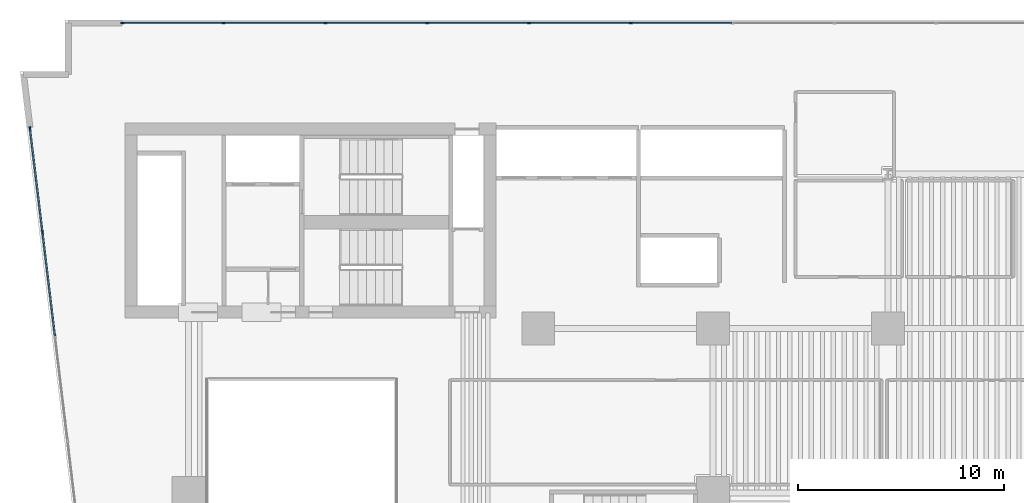
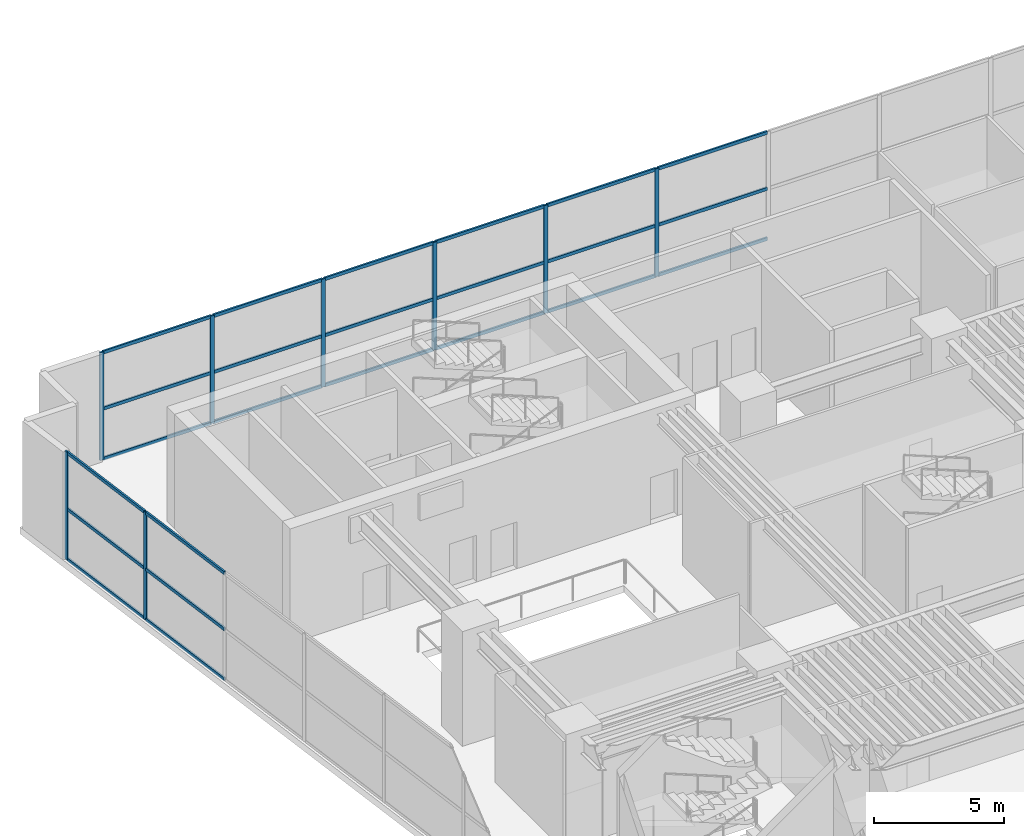
# One storey, part 5 of 16: 32 members, 2 elements without a shape of their own.
"""IFC4 building model written with IfcOpenShell, lengths in metres."""

from ifc_helpers import new_model, si_unit, direction, frame, origin, origin_2d, place, context, subcontext, project, spatial, rectangle, extrude, material, layer, layer_set, material_profile, profile_set, type_object, element, aggregate, save


model = new_model("IFC4")

# Units and contexts
model_context = context("Model", 3, precision=1e-05, world=origin(), true_north=direction((0.0, 1.0)))
body_context = subcontext(model_context, "Body", "Model", "MODEL_VIEW")
ifc_project = project(units=[si_unit("LENGTHUNIT", "METRE"), si_unit("AREAUNIT", "SQUARE_METRE"), si_unit("VOLUMEUNIT", "CUBIC_METRE"), si_unit("PLANEANGLEUNIT", "RADIAN"), si_unit("MASSUNIT", "GRAM", prefix="KILO")], contexts=[model_context])

# Site, building, storey
site_placement = place(None, origin())
site = spatial("IfcSite", under=ifc_project, at=site_placement, CompositionType="ELEMENT")
building_placement = place(site_placement, origin())
building = spatial("IfcBuilding", under=site, at=building_placement, Name="Caeloran Harvest Quay", CompositionType="ELEMENT")
storey_placement = place(building_placement, frame((0.0, 0.0, 10.800048828125)))
storey = spatial("IfcBuildingStorey", under=building, at=storey_placement, Name="L03", CompositionType="ELEMENT", Elevation=10.800048828125)

# Curtain wall, members
ifc_material_1 = material(Name="Aluminium 6063-T6 and Low-E Glazing", Category="aluminium")
ifc_layer = layer(ifc_material_1, 0.179931640625, Name="Aluminium 6063-T6 and Low-E Glazing")
ifc_layer_set = layer_set([ifc_layer], Name="Aluminium 6063-T6 and Low-E Glazing")
curtain_wall_type = type_object("IfcCurtainWallType", Name="CW-SYS-CW-1", PredefinedType="USERDEFINED", material=ifc_layer_set)
curtain_wall_1_placement = place(storey_placement, origin())
curtain_wall_1 = element("IfcCurtainWall", 1, at=curtain_wall_1_placement, inside=storey, type_object=curtain_wall_type, Name="L03 Unitised Curtain Wall CW-1 Run 3", ObjectType="CURTAIN_WALL", PredefinedType="USERDEFINED")
ifc_material_2 = material(Name="Aluminium 6063-T6", Category="aluminium")
ifc_material_profile_1 = material_profile(ifc_material_2, rectangle(XDim=0.080078125, YDim=0.179931640625, at=origin_2d()), Name="CW-MULLION-180")
ifc_profile_set_1 = profile_set([ifc_material_profile_1], Name="Aluminium 6063-T6")
member_type_1 = type_object("IfcMemberType", Name="CW-MULLION-180", PredefinedType="MULLION", material=ifc_profile_set_1)
member_1_placement = place(storey_placement, frame((1.3935546875, 35.69189453125, 0.0), z_axis=(0.0, 0.0, 1.0), x_axis=(-0.992815527762, -0.11965503681, 0.0)))
member_1 = element("IfcMember", 2, at=member_1_placement, type_object=member_type_1, Name="CW-1 mullion 7", PredefinedType="MULLION", context=body_context, shape_type="SweptSolid", body=[
    extrude(rectangle(XDim=0.080078125, YDim=0.179931640625, at=origin_2d()), origin(), (0.0, 0.0, 1.0), 5.079833984375),
])
member_2_placement = place(storey_placement, frame((0.786376953125, 40.72900390625, 0.0), z_axis=(0.0, 0.0, 1.0), x_axis=(-0.992815527762, -0.11965503681, 0.0)))
member_2 = element("IfcMember", 3, at=member_2_placement, type_object=member_type_1, Name="CW-1 mullion 8", PredefinedType="MULLION", context=body_context, shape_type="SweptSolid", body=[
    extrude(rectangle(XDim=0.080078125, YDim=0.179931640625, at=origin_2d()), origin(), (0.0, 0.0, 1.0), 5.079833984375),
])

curtain_wall_2_placement = place(storey_placement, origin())
curtain_wall_2 = element("IfcCurtainWall", 4, at=curtain_wall_2_placement, inside=storey, type_object=curtain_wall_type, Name="L03 Unitised Curtain Wall CW-1 Run 6", ObjectType="CURTAIN_WALL", PredefinedType="USERDEFINED")
member_3_placement = place(storey_placement, frame((5.2900390625, 45.85009765625, 0.0), z_axis=(0.0, 0.0, 1.0), x_axis=(0.0, 1.0, 0.0)))
member_3 = element("IfcMember", 5, at=member_3_placement, type_object=member_type_1, Name="CW-1 mullion 1", PredefinedType="MULLION", context=body_context, shape_type="SweptSolid", body=[
    extrude(rectangle(XDim=0.080078125, YDim=0.179931640625, at=origin_2d()), origin(), (0.0, 0.0, 1.0), 5.079833984375),
])
member_4_placement = place(storey_placement, frame((10.199951171875, 45.85009765625, 0.0), z_axis=(0.0, 0.0, 1.0), x_axis=(0.0, 1.0, 0.0)))
member_4 = element("IfcMember", 6, at=member_4_placement, type_object=member_type_1, Name="CW-1 mullion 2", PredefinedType="MULLION", context=body_context, shape_type="SweptSolid", body=[
    extrude(rectangle(XDim=0.080078125, YDim=0.179931640625, at=origin_2d()), origin(), (0.0, 0.0, 1.0), 5.079833984375),
])
member_5_placement = place(storey_placement, frame((15.14990234375, 45.85009765625, 0.0), z_axis=(0.0, 0.0, 1.0), x_axis=(0.0, 1.0, 0.0)))
member_5 = element("IfcMember", 7, at=member_5_placement, type_object=member_type_1, Name="CW-1 mullion 3", PredefinedType="MULLION", context=body_context, shape_type="SweptSolid", body=[
    extrude(rectangle(XDim=0.080078125, YDim=0.179931640625, at=origin_2d()), origin(), (0.0, 0.0, 1.0), 5.079833984375),
])
member_6_placement = place(storey_placement, frame((20.10009765625, 45.85009765625, 0.0), z_axis=(0.0, 0.0, 1.0), x_axis=(0.0, 1.0, 0.0)))
member_6 = element("IfcMember", 8, at=member_6_placement, type_object=member_type_1, Name="CW-1 mullion 4", PredefinedType="MULLION", context=body_context, shape_type="SweptSolid", body=[
    extrude(rectangle(XDim=0.080078125, YDim=0.179931640625, at=origin_2d()), origin(), (0.0, 0.0, 1.0), 5.079833984375),
])
member_7_placement = place(storey_placement, frame((25.050048828125, 45.85009765625, 0.0), z_axis=(0.0, 0.0, 1.0), x_axis=(0.0, 1.0, 0.0)))
member_7 = element("IfcMember", 9, at=member_7_placement, type_object=member_type_1, Name="CW-1 mullion 5", PredefinedType="MULLION", context=body_context, shape_type="SweptSolid", body=[
    extrude(rectangle(XDim=0.080078125, YDim=0.179931640625, at=origin_2d()), origin(), (0.0, 0.0, 1.0), 5.079833984375),
])
member_8_placement = place(storey_placement, frame((30.0, 45.85009765625, 0.0), z_axis=(0.0, 0.0, 1.0), x_axis=(0.0, 1.0, 0.0)))
member_8 = element("IfcMember", 10, at=member_8_placement, type_object=member_type_1, Name="CW-1 mullion 6", PredefinedType="MULLION", context=body_context, shape_type="SweptSolid", body=[
    extrude(rectangle(XDim=0.080078125, YDim=0.179931640625, at=origin_2d()), origin(), (0.0, 0.0, 1.0), 5.079833984375),
])

# Member
ifc_material_profile_2 = material_profile(ifc_material_2, rectangle(XDim=0.080078125, YDim=0.14990234375, at=origin_2d()), Name="CW-TRANSOM-150")
ifc_profile_set_2 = profile_set([ifc_material_profile_2], Name="Aluminium 6063-T6")
member_type_2 = type_object("IfcMemberType", Name="CW-TRANSOM-150", PredefinedType="USERDEFINED", material=ifc_profile_set_2)
member_9_placement = place(storey_placement, frame((2.00048828125, 30.65478515625, 0.0400390625), z_axis=(-0.119657779641, 0.99281519719, 0.0), x_axis=(-0.99281519719, -0.119657779641, 0.0)))
member_9 = element("IfcMember", 11, at=member_9_placement, type_object=member_type_2, Name="CW-1 transom 6.1", ObjectType="TRANSOM", PredefinedType="USERDEFINED", context=body_context, shape_type="SweptSolid", body=[
    extrude(rectangle(XDim=0.080078125, YDim=0.14990234375, at=origin_2d()), origin(), (0.0, 0.0, 1.0), 5.033447265625),
])

member_10_placement = place(storey_placement, frame((2.00048828125, 30.65478515625, 2.39990234375), z_axis=(-0.119657779641, 0.99281519719, 0.0), x_axis=(-0.99281519719, -0.119657779641, 0.0)))
member_10 = element("IfcMember", 12, at=member_10_placement, type_object=member_type_2, Name="CW-1 transom 6.2", ObjectType="TRANSOM", PredefinedType="USERDEFINED", context=body_context, shape_type="SweptSolid", body=[
    extrude(rectangle(XDim=0.080078125, YDim=0.14990234375, at=origin_2d()), origin(), (0.0, 0.0, 1.0), 5.033447265625),
])

member_11_placement = place(storey_placement, frame((2.00048828125, 30.65478515625, 5.0400390625), z_axis=(-0.119657779641, 0.99281519719, 0.0), x_axis=(-0.99281519719, -0.119657779641, 0.0)))
member_11 = element("IfcMember", 13, at=member_11_placement, type_object=member_type_2, Name="CW-1 transom 6.3", ObjectType="TRANSOM", PredefinedType="USERDEFINED", context=body_context, shape_type="SweptSolid", body=[
    extrude(rectangle(XDim=0.080078125, YDim=0.14990234375, at=origin_2d()), origin(), (0.0, 0.0, 1.0), 5.033447265625),
])

member_12_placement = place(storey_placement, frame((1.388671875, 35.731689453125, 0.0400390625), z_axis=(-0.119640688841, 0.992817256888, 0.0), x_axis=(-0.992817256888, -0.119640688841, 0.0)))
member_12 = element("IfcMember", 14, at=member_12_placement, type_object=member_type_2, Name="CW-1 transom 7.1", ObjectType="TRANSOM", PredefinedType="USERDEFINED", context=body_context, shape_type="SweptSolid", body=[
    extrude(rectangle(XDim=0.080078125, YDim=0.14990234375, at=origin_2d()), origin(), (0.0, 0.0, 1.0), 4.993408203125),
])

member_13_placement = place(storey_placement, frame((1.388671875, 35.731689453125, 2.39990234375), z_axis=(-0.119640688841, 0.992817256888, 0.0), x_axis=(-0.992817256888, -0.119640688841, 0.0)))
member_13 = element("IfcMember", 15, at=member_13_placement, type_object=member_type_2, Name="CW-1 transom 7.2", ObjectType="TRANSOM", PredefinedType="USERDEFINED", context=body_context, shape_type="SweptSolid", body=[
    extrude(rectangle(XDim=0.080078125, YDim=0.14990234375, at=origin_2d()), origin(), (0.0, 0.0, 1.0), 4.993408203125),
])

member_14_placement = place(storey_placement, frame((1.388671875, 35.731689453125, 5.0400390625), z_axis=(-0.119640688841, 0.992817256888, 0.0), x_axis=(-0.992817256888, -0.119640688841, 0.0)))
member_14 = element("IfcMember", 16, at=member_14_placement, type_object=member_type_2, Name="CW-1 transom 7.3", ObjectType="TRANSOM", PredefinedType="USERDEFINED", context=body_context, shape_type="SweptSolid", body=[
    extrude(rectangle(XDim=0.080078125, YDim=0.14990234375, at=origin_2d()), origin(), (0.0, 0.0, 1.0), 4.993408203125),
])

aggregate(curtain_wall_1, [member_1, member_2, member_9, member_10, member_11, member_12, member_13, member_14])

member_15_placement = place(storey_placement, frame((5.330078125, 45.85009765625, 0.0400390625), z_axis=(1.0, 0.0, 0.0), x_axis=(0.0, 1.0, 0.0)))
member_15 = element("IfcMember", 17, at=member_15_placement, type_object=member_type_2, Name="CW-1 transom 1.1", ObjectType="TRANSOM", PredefinedType="USERDEFINED", context=body_context, shape_type="SweptSolid", body=[
    extrude(rectangle(XDim=0.080078125, YDim=0.14990234375, at=origin_2d()), origin(), (0.0, 0.0, 1.0), 4.829833984375),
])

member_16_placement = place(storey_placement, frame((5.330078125, 45.85009765625, 2.39990234375), z_axis=(1.0, 0.0, 0.0), x_axis=(0.0, 1.0, 0.0)))
member_16 = element("IfcMember", 18, at=member_16_placement, type_object=member_type_2, Name="CW-1 transom 1.2", ObjectType="TRANSOM", PredefinedType="USERDEFINED", context=body_context, shape_type="SweptSolid", body=[
    extrude(rectangle(XDim=0.080078125, YDim=0.14990234375, at=origin_2d()), origin(), (0.0, 0.0, 1.0), 4.829833984375),
])

member_17_placement = place(storey_placement, frame((5.330078125, 45.85009765625, 5.0400390625), z_axis=(1.0, 0.0, 0.0), x_axis=(0.0, 1.0, 0.0)))
member_17 = element("IfcMember", 19, at=member_17_placement, type_object=member_type_2, Name="CW-1 transom 1.3", ObjectType="TRANSOM", PredefinedType="USERDEFINED", context=body_context, shape_type="SweptSolid", body=[
    extrude(rectangle(XDim=0.080078125, YDim=0.14990234375, at=origin_2d()), origin(), (0.0, 0.0, 1.0), 4.829833984375),
])

member_18_placement = place(storey_placement, frame((10.239990234375, 45.85009765625, 0.0400390625), z_axis=(1.0, 0.0, 0.0), x_axis=(0.0, 1.0, 0.0)))
member_18 = element("IfcMember", 20, at=member_18_placement, type_object=member_type_2, Name="CW-1 transom 2.1", ObjectType="TRANSOM", PredefinedType="USERDEFINED", context=body_context, shape_type="SweptSolid", body=[
    extrude(rectangle(XDim=0.080078125, YDim=0.14990234375, at=origin_2d()), origin(), (0.0, 0.0, 1.0), 4.8701171875),
])

member_19_placement = place(storey_placement, frame((10.239990234375, 45.85009765625, 2.39990234375), z_axis=(1.0, 0.0, 0.0), x_axis=(0.0, 1.0, 0.0)))
member_19 = element("IfcMember", 21, at=member_19_placement, type_object=member_type_2, Name="CW-1 transom 2.2", ObjectType="TRANSOM", PredefinedType="USERDEFINED", context=body_context, shape_type="SweptSolid", body=[
    extrude(rectangle(XDim=0.080078125, YDim=0.14990234375, at=origin_2d()), origin(), (0.0, 0.0, 1.0), 4.8701171875),
])

member_20_placement = place(storey_placement, frame((10.239990234375, 45.85009765625, 5.0400390625), z_axis=(1.0, 0.0, 0.0), x_axis=(0.0, 1.0, 0.0)))
member_20 = element("IfcMember", 22, at=member_20_placement, type_object=member_type_2, Name="CW-1 transom 2.3", ObjectType="TRANSOM", PredefinedType="USERDEFINED", context=body_context, shape_type="SweptSolid", body=[
    extrude(rectangle(XDim=0.080078125, YDim=0.14990234375, at=origin_2d()), origin(), (0.0, 0.0, 1.0), 4.8701171875),
])

member_21_placement = place(storey_placement, frame((15.18994140625, 45.85009765625, 0.0400390625), z_axis=(1.0, 0.0, 0.0), x_axis=(0.0, 1.0, 0.0)))
member_21 = element("IfcMember", 23, at=member_21_placement, type_object=member_type_2, Name="CW-1 transom 3.1", ObjectType="TRANSOM", PredefinedType="USERDEFINED", context=body_context, shape_type="SweptSolid", body=[
    extrude(rectangle(XDim=0.080078125, YDim=0.14990234375, at=origin_2d()), origin(), (0.0, 0.0, 1.0), 4.8701171875),
])

member_22_placement = place(storey_placement, frame((15.18994140625, 45.85009765625, 2.39990234375), z_axis=(1.0, 0.0, 0.0), x_axis=(0.0, 1.0, 0.0)))
member_22 = element("IfcMember", 24, at=member_22_placement, type_object=member_type_2, Name="CW-1 transom 3.2", ObjectType="TRANSOM", PredefinedType="USERDEFINED", context=body_context, shape_type="SweptSolid", body=[
    extrude(rectangle(XDim=0.080078125, YDim=0.14990234375, at=origin_2d()), origin(), (0.0, 0.0, 1.0), 4.8701171875),
])

member_23_placement = place(storey_placement, frame((15.18994140625, 45.85009765625, 5.0400390625), z_axis=(1.0, 0.0, 0.0), x_axis=(0.0, 1.0, 0.0)))
member_23 = element("IfcMember", 25, at=member_23_placement, type_object=member_type_2, Name="CW-1 transom 3.3", ObjectType="TRANSOM", PredefinedType="USERDEFINED", context=body_context, shape_type="SweptSolid", body=[
    extrude(rectangle(XDim=0.080078125, YDim=0.14990234375, at=origin_2d()), origin(), (0.0, 0.0, 1.0), 4.8701171875),
])

member_24_placement = place(storey_placement, frame((20.139892578125, 45.85009765625, 0.0400390625), z_axis=(1.0, 0.0, 0.0), x_axis=(0.0, 1.0, 0.0)))
member_24 = element("IfcMember", 26, at=member_24_placement, type_object=member_type_2, Name="CW-1 transom 4.1", ObjectType="TRANSOM", PredefinedType="USERDEFINED", context=body_context, shape_type="SweptSolid", body=[
    extrude(rectangle(XDim=0.080078125, YDim=0.14990234375, at=origin_2d()), origin(), (0.0, 0.0, 1.0), 4.8701171875),
])

member_25_placement = place(storey_placement, frame((20.139892578125, 45.85009765625, 2.39990234375), z_axis=(1.0, 0.0, 0.0), x_axis=(0.0, 1.0, 0.0)))
member_25 = element("IfcMember", 27, at=member_25_placement, type_object=member_type_2, Name="CW-1 transom 4.2", ObjectType="TRANSOM", PredefinedType="USERDEFINED", context=body_context, shape_type="SweptSolid", body=[
    extrude(rectangle(XDim=0.080078125, YDim=0.14990234375, at=origin_2d()), origin(), (0.0, 0.0, 1.0), 4.8701171875),
])

member_26_placement = place(storey_placement, frame((20.139892578125, 45.85009765625, 5.0400390625), z_axis=(1.0, 0.0, 0.0), x_axis=(0.0, 1.0, 0.0)))
member_26 = element("IfcMember", 28, at=member_26_placement, type_object=member_type_2, Name="CW-1 transom 4.3", ObjectType="TRANSOM", PredefinedType="USERDEFINED", context=body_context, shape_type="SweptSolid", body=[
    extrude(rectangle(XDim=0.080078125, YDim=0.14990234375, at=origin_2d()), origin(), (0.0, 0.0, 1.0), 4.8701171875),
])

member_27_placement = place(storey_placement, frame((25.090087890625, 45.85009765625, 0.0400390625), z_axis=(1.0, 0.0, 0.0), x_axis=(0.0, 1.0, 0.0)))
member_27 = element("IfcMember", 29, at=member_27_placement, type_object=member_type_2, Name="CW-1 transom 5.1", ObjectType="TRANSOM", PredefinedType="USERDEFINED", context=body_context, shape_type="SweptSolid", body=[
    extrude(rectangle(XDim=0.080078125, YDim=0.14990234375, at=origin_2d()), origin(), (0.0, 0.0, 1.0), 4.869873046875),
])

member_28_placement = place(storey_placement, frame((25.090087890625, 45.85009765625, 2.39990234375), z_axis=(1.0, 0.0, 0.0), x_axis=(0.0, 1.0, 0.0)))
member_28 = element("IfcMember", 30, at=member_28_placement, type_object=member_type_2, Name="CW-1 transom 5.2", ObjectType="TRANSOM", PredefinedType="USERDEFINED", context=body_context, shape_type="SweptSolid", body=[
    extrude(rectangle(XDim=0.080078125, YDim=0.14990234375, at=origin_2d()), origin(), (0.0, 0.0, 1.0), 4.869873046875),
])

member_29_placement = place(storey_placement, frame((25.090087890625, 45.85009765625, 5.0400390625), z_axis=(1.0, 0.0, 0.0), x_axis=(0.0, 1.0, 0.0)))
member_29 = element("IfcMember", 31, at=member_29_placement, type_object=member_type_2, Name="CW-1 transom 5.3", ObjectType="TRANSOM", PredefinedType="USERDEFINED", context=body_context, shape_type="SweptSolid", body=[
    extrude(rectangle(XDim=0.080078125, YDim=0.14990234375, at=origin_2d()), origin(), (0.0, 0.0, 1.0), 4.869873046875),
])

member_30_placement = place(storey_placement, frame((30.0400390625, 45.85009765625, 0.0400390625), z_axis=(1.0, 0.0, 0.0), x_axis=(0.0, 1.0, 0.0)))
member_30 = element("IfcMember", 32, at=member_30_placement, type_object=member_type_2, Name="CW-1 transom 6.1", ObjectType="TRANSOM", PredefinedType="USERDEFINED", context=body_context, shape_type="SweptSolid", body=[
    extrude(rectangle(XDim=0.080078125, YDim=0.14990234375, at=origin_2d()), origin(), (0.0, 0.0, 1.0), 4.869873046875),
])

member_31_placement = place(storey_placement, frame((30.0400390625, 45.85009765625, 2.39990234375), z_axis=(1.0, 0.0, 0.0), x_axis=(0.0, 1.0, 0.0)))
member_31 = element("IfcMember", 33, at=member_31_placement, type_object=member_type_2, Name="CW-1 transom 6.2", ObjectType="TRANSOM", PredefinedType="USERDEFINED", context=body_context, shape_type="SweptSolid", body=[
    extrude(rectangle(XDim=0.080078125, YDim=0.14990234375, at=origin_2d()), origin(), (0.0, 0.0, 1.0), 4.869873046875),
])

member_32_placement = place(storey_placement, frame((30.0400390625, 45.85009765625, 5.0400390625), z_axis=(1.0, 0.0, 0.0), x_axis=(0.0, 1.0, 0.0)))
member_32 = element("IfcMember", 34, at=member_32_placement, type_object=member_type_2, Name="CW-1 transom 6.3", ObjectType="TRANSOM", PredefinedType="USERDEFINED", context=body_context, shape_type="SweptSolid", body=[
    extrude(rectangle(XDim=0.080078125, YDim=0.14990234375, at=origin_2d()), origin(), (0.0, 0.0, 1.0), 4.869873046875),
])

aggregate(curtain_wall_2, [member_3, member_4, member_5, member_6, member_7, member_8, member_15, member_16, member_17, member_18, member_19, member_20, member_21, member_22, member_23, member_24, member_25, member_26, member_27, member_28, member_29, member_30, member_31, member_32])

save(model, "model.ifc")
